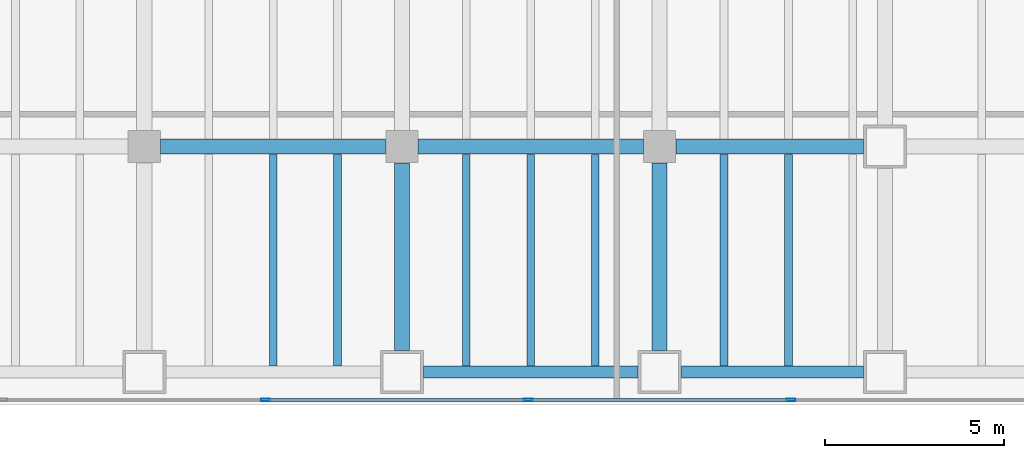
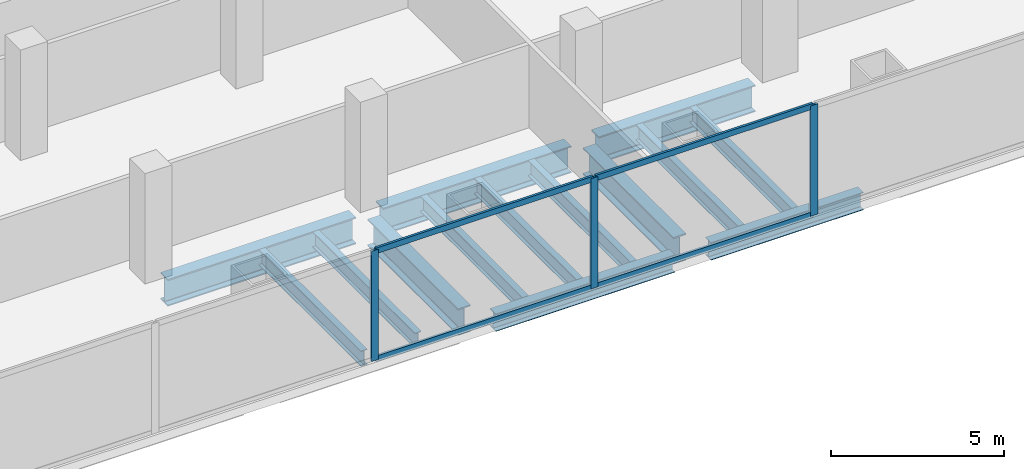
# One storey, part 5 of 31: 14 beams, 7 members, 1 element without a shape of its own.
"""IFC4 building model written with IfcOpenShell, lengths in metres."""

from ifc_helpers import new_model, si_unit, direction, frame, origin, origin_2d, place, context, subcontext, project, spatial, hollow_rectangle, i_section, extrude, material, material_profile, profile_set, type_object, element, aggregate, save


model = new_model("IFC4")

# Units and contexts
model_context = context("Model", 3, precision=1e-05, world=origin(), true_north=direction((0.0, 1.0)))
body_context = subcontext(model_context, "Body", "Model", "MODEL_VIEW")
ifc_project = project(units=[si_unit("LENGTHUNIT", "METRE"), si_unit("AREAUNIT", "SQUARE_METRE"), si_unit("VOLUMEUNIT", "CUBIC_METRE"), si_unit("PLANEANGLEUNIT", "RADIAN"), si_unit("MASSUNIT", "GRAM", prefix="KILO")], contexts=[model_context])

# Site, building, storey
site_placement = place(None, origin())
site = spatial("IfcSite", under=ifc_project, at=site_placement, CompositionType="ELEMENT")
building_placement = place(site_placement, origin())
building = spatial("IfcBuilding", under=site, at=building_placement, Name="Cobrela Telecom Tower", CompositionType="ELEMENT")
storey_placement = place(building_placement, frame((0.0, 0.0, 9.449951171875)))
storey = spatial("IfcBuildingStorey", under=building, at=storey_placement, Name="L02", CompositionType="ELEMENT", Elevation=9.449951171875)

# Beams
ifc_material_1 = material(Name="Steel ASTM A992 Grade 50", Category="steel")
ifc_material_profile_1 = material_profile(ifc_material_1, i_section(OverallWidth=0.424072265625, OverallDepth=0.947021484375, WebThickness=0.02392578125, FlangeThickness=0.042724609375, FilletRadius=0.02392578125, at=origin_2d()), Name="W36X302")
ifc_profile_set_1 = profile_set([ifc_material_profile_1], Name="Steel ASTM A992 Grade 50")
beam_type_1 = type_object("IfcBeamType", Name="BM-GIRD-01", PredefinedType="USERDEFINED", material=ifc_profile_set_1)
for number, where, z_axis, x_axis, name in (
    (1, (29.2548828125, 7.199951171875, -0.7734375), (1.0, 0.0, 0.0), (0.0, 1.0, 0.0), "L02 Primary Girder X13"),
    (2, (36.455078125, 7.199951171875, -0.7734375), (1.0, 0.0, 0.0), (0.0, 1.0, 0.0), "L02 Primary Girder X14"),
):
    element("IfcBeam", number, at=place(storey_placement, frame(where, z_axis=z_axis, x_axis=x_axis)), inside=storey, type_object=beam_type_1, Name=name, ObjectType="GIRDER", PredefinedType="USERDEFINED", context=body_context, shape_type="SweptSolid", body=[
        extrude(i_section(OverallWidth=0.424072265625, OverallDepth=0.947021484375, WebThickness=0.02392578125, FlangeThickness=0.042724609375, FilletRadius=0.02392578125, at=origin_2d()), origin(), (0.0, 0.0, 1.0), 6.2900390625),
    ])
beam_1_placement = place(storey_placement, frame((43.655029296875, 7.199951171875, -0.7734375), z_axis=(1.0, 0.0, 0.0), x_axis=(0.0, 1.0, 0.0)))
element("IfcBeam", 3, at=beam_1_placement, inside=storey, type_object=beam_type_1, Name="L02 Primary Girder X15", ObjectType="GIRDER", PredefinedType="USERDEFINED", context=body_context, shape_type="SweptSolid", body=[
    extrude(i_section(OverallWidth=0.424072265625, OverallDepth=0.947021484375, WebThickness=0.02392578125, FlangeThickness=0.042724609375, FilletRadius=0.02392578125, at=origin_2d()), origin(), (0.0, 0.0, 1.0), 5.239990234375),
])
for number, where, z_axis, x_axis, name in (
    (4, (36.0, 1.5048828125, -0.7734375), (0.0, 1.0, 0.0), (-1.0, 0.0, 0.0), "L02 Primary Girder Y71"),
    (5, (43.199951171875, 1.5048828125, -0.7734375), (0.0, 1.0, 0.0), (-1.0, 0.0, 0.0), "L02 Primary Girder Y78"),
):
    element("IfcBeam", number, at=place(storey_placement, frame(where, z_axis=z_axis, x_axis=x_axis)), inside=storey, type_object=beam_type_1, Name=name, ObjectType="GIRDER", PredefinedType="USERDEFINED", context=body_context, shape_type="SweptSolid", body=[
        extrude(i_section(OverallWidth=0.424072265625, OverallDepth=0.947021484375, WebThickness=0.02392578125, FlangeThickness=0.042724609375, FilletRadius=0.02392578125, at=origin_2d()), origin(), (0.0, 0.0, 1.0), 5.240234375),
    ])
ifc_material_profile_2 = material_profile(ifc_material_1, i_section(OverallWidth=0.212890625, OverallDepth=0.549072265625, WebThickness=0.0146484375, FlangeThickness=0.023681640625, FilletRadius=0.013916015625, at=origin_2d()), Name="W21X93")
ifc_profile_set_2 = profile_set([ifc_material_profile_2], Name="Steel ASTM A992 Grade 50")
beam_type_2 = type_object("IfcBeamType", Name="BM-JOIST-01", PredefinedType="JOIST", material=ifc_profile_set_2)
for number, where, z_axis, x_axis, name in (
    (6, (32.39990234375, 1.069091796875, -0.574462890625), (0.0, 1.0, 0.0), (-1.0, 0.0, 0.0), "L02 Secondary Composite Floor Beam J58"),
    (7, (34.199951171875, 1.069091796875, -0.574462890625), (0.0, 1.0, 0.0), (-1.0, 0.0, 0.0), "L02 Secondary Composite Floor Beam J63"),
    (8, (37.800048828125, 1.069091796875, -0.574462890625), (0.0, 1.0, 0.0), (-1.0, 0.0, 0.0), "L02 Secondary Composite Floor Beam J70"),
    (9, (39.60009765625, 1.069091796875, -0.574462890625), (0.0, 1.0, 0.0), (-1.0, 0.0, 0.0), "L02 Secondary Composite Floor Beam J77"),
    (10, (41.39990234375, 1.069091796875, -0.574462890625), (0.0, 1.0, 0.0), (-1.0, 0.0, 0.0), "L02 Secondary Composite Floor Beam J84"),
    (11, (45.0, 1.069091796875, -0.574462890625), (0.0, 1.0, 0.0), (-1.0, 0.0, 0.0), "L02 Secondary Composite Floor Beam J91"),
    (12, (46.800048828125, 1.069091796875, -0.574462890625), (0.0, 1.0, 0.0), (-1.0, 0.0, 0.0), "L02 Secondary Composite Floor Beam J94"),
):
    element("IfcBeam", number, at=place(storey_placement, frame(where, z_axis=z_axis, x_axis=x_axis)), inside=storey, type_object=beam_type_2, Name=name, PredefinedType="JOIST", context=body_context, shape_type="SweptSolid", body=[
        extrude(i_section(OverallWidth=0.212890625, OverallDepth=0.549072265625, WebThickness=0.0146484375, FlangeThickness=0.023681640625, FilletRadius=0.013916015625, at=origin_2d()), origin(), (0.0, 0.0, 1.0), 5.913818359375),
    ])
ifc_material_profile_3 = material_profile(ifc_material_1, i_section(OverallWidth=0.327880859375, OverallDepth=0.6220703125, WebThickness=0.015380859375, FlangeThickness=0.0244140625, FilletRadius=0.014892578125, at=origin_2d()), Name="W24X131")
ifc_profile_set_3 = profile_set([ifc_material_profile_3], Name="Steel ASTM A992 Grade 50")
beam_type_3 = type_object("IfcBeamType", Name="BM-SPAND-01", PredefinedType="SPANDREL", material=ifc_profile_set_3)
beam_2_placement = place(storey_placement, frame((36.60498046875, 0.89990234375, -0.61083984375), z_axis=(1.0, 0.0, 0.0), x_axis=(0.0, 1.0, 0.0)))
element("IfcBeam", 13, at=beam_2_placement, inside=storey, type_object=beam_type_3, Name="L02 Perimeter Spandrel X04", PredefinedType="SPANDREL", context=body_context, shape_type="SweptSolid", body=[
    extrude(i_section(OverallWidth=0.327880859375, OverallDepth=0.6220703125, WebThickness=0.015380859375, FlangeThickness=0.0244140625, FilletRadius=0.014892578125, at=origin_2d()), origin(), (0.0, 0.0, 1.0), 5.989990234375),
])
beam_3_placement = place(storey_placement, frame((43.804931640625, 0.89990234375, -0.61083984375), z_axis=(1.0, 0.0, 0.0), x_axis=(0.0, 1.0, 0.0)))
element("IfcBeam", 14, at=beam_3_placement, inside=storey, type_object=beam_type_3, Name="L02 Perimeter Spandrel X05", PredefinedType="SPANDREL", context=body_context, shape_type="SweptSolid", body=[
    extrude(i_section(OverallWidth=0.327880859375, OverallDepth=0.6220703125, WebThickness=0.015380859375, FlangeThickness=0.0244140625, FilletRadius=0.014892578125, at=origin_2d()), origin(), (0.0, 0.0, 1.0), 5.090087890625),
])

# Curtain wall, members
ifc_material_2 = material(Name="Anodized Bronze Aluminium 6063-T6", Category="aluminium")
curtain_wall_type = type_object("IfcCurtainWallType", Name="CW-SYS-CONC", PredefinedType="USERDEFINED", material=ifc_material_2)
curtain_wall_placement = place(storey_placement, origin())
curtain_wall = element("IfcCurtainWall", 15, at=curtain_wall_placement, inside=storey, type_object=curtain_wall_type, Name="L02 Unitised Bronze Curtain Wall 17", ObjectType="UNITISED CURTAIN WALL", PredefinedType="USERDEFINED")
ifc_material_profile_4 = material_profile(ifc_material_2, hollow_rectangle(XDim=0.080078125, YDim=0.239990234375, WallThickness=0.0048828125, at=origin_2d()), Name="ALU 80x240x5")
ifc_profile_set_4 = profile_set([ifc_material_profile_4], Name="Anodized Bronze Aluminium 6063-T6")
member_type_1 = type_object("IfcMemberType", Name="CW-SYS-CONC-MUL", PredefinedType="MULLION", material=ifc_profile_set_4)
member_1_placement = place(storey_placement, frame((46.870849609375, 0.1201171875, 0.0), z_axis=(0.0, 0.0, 1.0), x_axis=(0.0, -1.0, 0.0)))
member_1 = element("IfcMember", 16, at=member_1_placement, type_object=member_type_1, Name="CW-CONC mullion 6", PredefinedType="MULLION", context=body_context, shape_type="SweptSolid", body=[
    extrude(hollow_rectangle(XDim=0.080078125, YDim=0.239990234375, WallThickness=0.0048828125, at=origin_2d()), origin(), (0.0, 0.0, 1.0), 3.900146484375),
])
member_2_placement = place(storey_placement, frame((39.529052734375, 0.1201171875, 0.0), z_axis=(0.0, 0.0, 1.0), x_axis=(0.0, -1.0, 0.0)))
member_2 = element("IfcMember", 17, at=member_2_placement, type_object=member_type_1, Name="CW-CONC mullion 7", PredefinedType="MULLION", context=body_context, shape_type="SweptSolid", body=[
    extrude(hollow_rectangle(XDim=0.080078125, YDim=0.239990234375, WallThickness=0.0048828125, at=origin_2d()), origin(), (0.0, 0.0, 1.0), 3.900146484375),
])
member_3_placement = place(storey_placement, frame((32.187255859375, 0.1201171875, 0.0), z_axis=(0.0, 0.0, 1.0), x_axis=(0.0, -1.0, 0.0)))
member_3 = element("IfcMember", 18, at=member_3_placement, type_object=member_type_1, Name="CW-CONC mullion 8", PredefinedType="MULLION", context=body_context, shape_type="SweptSolid", body=[
    extrude(hollow_rectangle(XDim=0.080078125, YDim=0.239990234375, WallThickness=0.0048828125, at=origin_2d()), origin(), (0.0, 0.0, 1.0), 3.900146484375),
])
ifc_material_profile_5 = material_profile(ifc_material_2, hollow_rectangle(XDim=0.080078125, YDim=0.199951171875, WallThickness=0.00390625, at=origin_2d()), Name="ALU 80x200x4")
ifc_profile_set_5 = profile_set([ifc_material_profile_5], Name="Anodized Bronze Aluminium 6063-T6")
member_type_2 = type_object("IfcMemberType", Name="CW-SYS-CONC-TRN", PredefinedType="USERDEFINED", material=ifc_profile_set_5)
member_4_placement = place(storey_placement, frame((46.830810546875, 0.1201171875, 0.0400390625), z_axis=(-1.0, 0.0, 0.0), x_axis=(0.0, -1.0, 0.0)))
member_4 = element("IfcMember", 19, at=member_4_placement, type_object=member_type_2, Name="CW-CONC transom 6.1", ObjectType="TRANSOM", PredefinedType="USERDEFINED", context=body_context, shape_type="SweptSolid", body=[
    extrude(hollow_rectangle(XDim=0.080078125, YDim=0.199951171875, WallThickness=0.00390625, at=origin_2d()), origin(), (0.0, 0.0, 1.0), 7.26171875),
])
member_5_placement = place(storey_placement, frame((46.830810546875, 0.1201171875, 3.860107421875), z_axis=(-1.0, 0.0, 0.0), x_axis=(0.0, -1.0, 0.0)))
member_5 = element("IfcMember", 20, at=member_5_placement, type_object=member_type_2, Name="CW-CONC transom 6.2", ObjectType="TRANSOM", PredefinedType="USERDEFINED", context=body_context, shape_type="SweptSolid", body=[
    extrude(hollow_rectangle(XDim=0.080078125, YDim=0.199951171875, WallThickness=0.00390625, at=origin_2d()), origin(), (0.0, 0.0, 1.0), 7.26171875),
])
member_6_placement = place(storey_placement, frame((39.489013671875, 0.1201171875, 0.0400390625), z_axis=(-1.0, 0.0, 0.0), x_axis=(0.0, -1.0, 0.0)))
member_6 = element("IfcMember", 21, at=member_6_placement, type_object=member_type_2, Name="CW-CONC transom 7.1", ObjectType="TRANSOM", PredefinedType="USERDEFINED", context=body_context, shape_type="SweptSolid", body=[
    extrude(hollow_rectangle(XDim=0.080078125, YDim=0.199951171875, WallThickness=0.00390625, at=origin_2d()), origin(), (0.0, 0.0, 1.0), 7.26171875),
])
member_7_placement = place(storey_placement, frame((39.489013671875, 0.1201171875, 3.860107421875), z_axis=(-1.0, 0.0, 0.0), x_axis=(0.0, -1.0, 0.0)))
member_7 = element("IfcMember", 22, at=member_7_placement, type_object=member_type_2, Name="CW-CONC transom 7.2", ObjectType="TRANSOM", PredefinedType="USERDEFINED", context=body_context, shape_type="SweptSolid", body=[
    extrude(hollow_rectangle(XDim=0.080078125, YDim=0.199951171875, WallThickness=0.00390625, at=origin_2d()), origin(), (0.0, 0.0, 1.0), 7.26171875),
])
aggregate(curtain_wall, [member_1, member_2, member_3, member_4, member_5, member_6, member_7])

save(model, "model.ifc")
